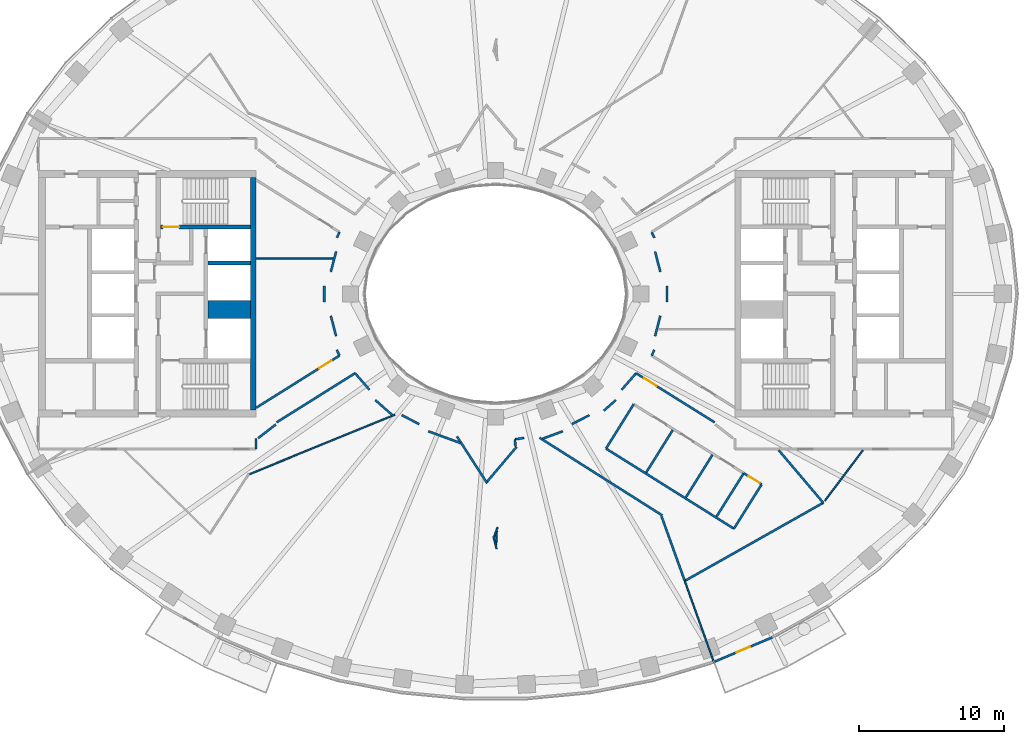
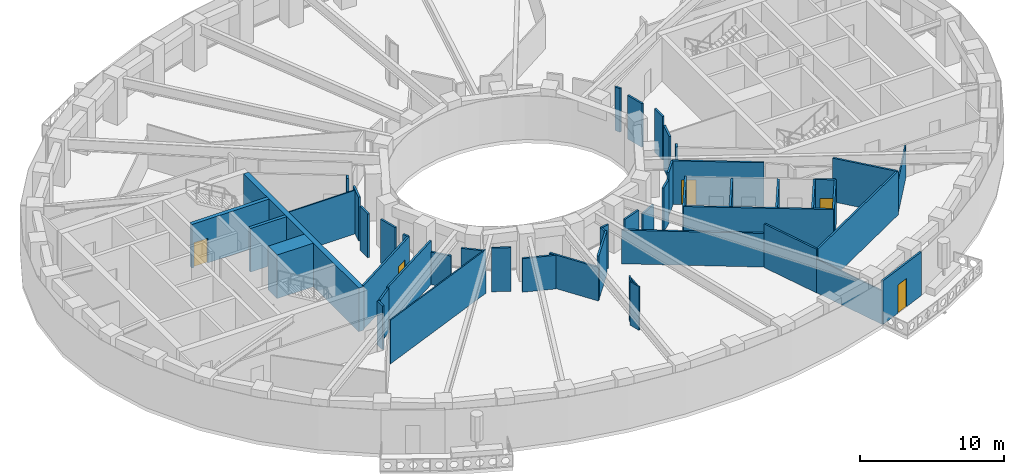
# One storey, part 4 of 15: 50 walls, 5 doors, 5 openings.
"""IFC4 building model written with IfcOpenShell, lengths in metres."""

from ifc_helpers import new_model, si_unit, direction, frame, frame_2d, origin, place, context, subcontext, project, spatial, rectangle, extrude, material, layer, layer_set, type_object, element, fill, save


model = new_model("IFC4")

# Units and contexts
model_context = context("Model", 3, precision=1e-05, world=origin(), true_north=direction((0.0, 1.0)))
body_context = subcontext(model_context, "Body", "Model", "MODEL_VIEW")
ifc_project = project(units=[si_unit("LENGTHUNIT", "METRE"), si_unit("AREAUNIT", "SQUARE_METRE"), si_unit("VOLUMEUNIT", "CUBIC_METRE"), si_unit("PLANEANGLEUNIT", "RADIAN"), si_unit("MASSUNIT", "GRAM", prefix="KILO")], contexts=[model_context])

# Site, building, storey
site_placement = place(None, origin())
site = spatial("IfcSite", under=ifc_project, at=site_placement, CompositionType="ELEMENT")
building_placement = place(site_placement, origin())
building = spatial("IfcBuilding", under=site, at=building_placement, Name="Noorbagh Ring Tower", CompositionType="ELEMENT")
storey_placement = place(building_placement, frame((0.0, 0.0, 158.0)))
storey = spatial("IfcBuildingStorey", under=building, at=storey_placement, Name="L36", CompositionType="ELEMENT", Elevation=158.0)

# Walls
ifc_material_1 = material(Name="Gypsum board on steel studs", Category="steel")
ifc_layer_1 = layer(ifc_material_1, 0.14990234375)
ifc_layer_set_1 = layer_set([ifc_layer_1], Name="Gypsum board on steel studs")
wall_type_1 = type_object("IfcWallType", Name="COMPARTMENT PARTITION 150 EI 60", PredefinedType="PARTITIONING", material=ifc_layer_set_1)
wall_1_placement = place(storey_placement, frame((15.22607421875, -15.341064453125, 0.0), z_axis=(0.0, 0.0, 1.0), x_axis=(0.530602850446, 0.847620560805, 0.0)))
element("IfcWall", 1, at=wall_1_placement, inside=storey, type_object=wall_type_1, Name="L36/wall/P77", PredefinedType="PARTITIONING", context=body_context, shape_type="SweptSolid", body=[
    extrude(rectangle(XDim=3.524169921875, YDim=0.14990234375, at=frame_2d((1.76220703125, 0.0))), origin(), (0.0, 0.0, 1.0), 3.699951171875),
])
wall_2_placement = place(storey_placement, frame((16.422119140625, -16.175048828125, 0.0), z_axis=(0.0, 0.0, 1.0), x_axis=(0.530578570881, 0.84763575911, 0.0)))
element("IfcWall", 2, at=wall_2_placement, inside=storey, type_object=wall_type_1, Name="L36/wall/P78", PredefinedType="PARTITIONING", context=body_context, shape_type="SweptSolid", body=[
    extrude(rectangle(XDim=3.595947265625, YDim=0.14990234375, at=frame_2d((1.7978515625, 0.0))), origin(), (0.0, 0.0, 1.0), 3.699951171875),
])

# Wall, opening, door
wall_3_placement = place(storey_placement, frame((17.095947265625, -12.35400390625, 0.0), z_axis=(0.0, 0.0, 1.0), x_axis=(0.847498728789, -0.530797423412, 0.0)))
wall_3 = element("IfcWall", 3, at=wall_3_placement, inside=storey, type_object=wall_type_1, Name="L36/wall/P83", PredefinedType="PARTITIONING", context=body_context, shape_type="SweptSolid", body=[
    extrude(rectangle(XDim=1.456298828125, YDim=0.14990234375, at=frame_2d((0.72802734375, 0.0))), origin(), (0.0, 0.0, 1.0), 3.699951171875),
])
opening_1_placement = place(wall_3_placement, frame((0.39990234375, 0.0, 0.0)))
opening_1 = element("IfcOpeningElement", 4, at=opening_1_placement, cuts=wall_3, Name="Opening D4", PredefinedType="OPENING", context=body_context, shape_type="SweptSolid", body=[
    extrude(rectangle(XDim=0.89990234375, YDim=2.10009765625, at=frame_2d((0.449951171875, 1.050048828125))), frame((0.0, 0.0849609375, 0.0), z_axis=(0.0, -1.0, 0.0), x_axis=(1.0, 0.0, 0.0)), (0.0, 0.0, 1.0), 0.169921875),
])
ifc_material_2 = material(Name="Timber, painted", Category="wood")
door_type_1 = type_object("IfcDoorType", Name="DOOR 900 X 2100 FD60", OperationType="SINGLE_SWING_LEFT", PredefinedType="DOOR", material=ifc_material_2)
door_1_placement = place(opening_1_placement, origin())
door_1 = element("IfcDoor", 5, at=door_1_placement, inside=storey, type_object=door_type_1, Name="L36-D05", OperationType="SINGLE_SWING_LEFT", OverallHeight=2.10009765625, OverallWidth=0.89990234375, PredefinedType="DOOR", context=body_context, shape_type="SweptSolid", body=[
    extrude(rectangle(XDim=0.89990234375, YDim=2.10009765625, at=frame_2d((0.449951171875, 1.050048828125))), frame((0.0, 0.02490234375, 0.0), z_axis=(0.0, -1.0, 0.0), x_axis=(1.0, 0.0, 0.0)), (0.0, 0.0, 1.0), 0.050048828125),
])
fill(opening_1, door_1)

# Walls
ifc_material_3 = material(Name="Concrete C60/75", Category="concrete")
ifc_layer_2 = layer(ifc_material_3, 1.25)
ifc_layer_set_2 = layer_set([ifc_layer_2], Name="Concrete C60/75")
wall_type_2 = type_object("IfcWallType", Name="CORE-WALL-1250-C60-75-EI120", PredefinedType="SHEAR", material=ifc_layer_set_2)
wall_4_placement = place(storey_placement, frame((-16.89990234375, -1.074951171875, 0.0), z_axis=(0.0, 0.0, 1.0), x_axis=(-1.0, 0.0, 0.0)))
element("IfcWall", 6, at=wall_4_placement, inside=storey, type_object=wall_type_2, Name="Core wall W", PredefinedType="SHEAR", context=body_context, shape_type="SweptSolid", body=[
    extrude(rectangle(XDim=2.900146484375, YDim=1.25, at=frame_2d((1.4501953125, 0.0))), origin(), (0.0, 0.0, 1.0), 3.699951171875),
])
ifc_material_4 = material(Name="Concrete C60/75", Category="concrete")
ifc_layer_3 = layer(ifc_material_4, 0.25)
ifc_layer_set_3 = layer_set([ifc_layer_3], Name="Concrete C60/75")
wall_type_3 = type_object("IfcWallType", Name="CORE-WALL-250-C60-75-EI120", PredefinedType="SHEAR", material=ifc_layer_set_3)
wall_5_placement = place(storey_placement, frame((-16.89990234375, 2.125, 0.0), z_axis=(0.0, 0.0, 1.0), x_axis=(-1.0, 0.0, 0.0)))
element("IfcWall", 7, at=wall_5_placement, inside=storey, type_object=wall_type_3, Name="Core wall W", PredefinedType="SHEAR", context=body_context, shape_type="SweptSolid", body=[
    extrude(rectangle(XDim=2.900146484375, YDim=0.25, at=frame_2d((1.4501953125, 0.0))), origin(), (0.0, 0.0, 1.0), 3.699951171875),
])

# Wall, opening, door
ifc_material_5 = material(Name="Concrete C60/75", Category="concrete")
ifc_layer_4 = layer(ifc_material_5, 0.300048828125)
ifc_layer_set_4 = layer_set([ifc_layer_4], Name="Concrete C60/75")
wall_type_4 = type_object("IfcWallType", Name="CORE-WALL-300-C60-75-EI240", PredefinedType="SHEAR", material=ifc_layer_set_4)
wall_6_placement = place(storey_placement, frame((-16.89990234375, 4.60009765625, 0.0), z_axis=(0.0, 0.0, 1.0), x_axis=(-1.0, 0.0, 0.0)))
wall_6 = element("IfcWall", 8, at=wall_6_placement, inside=storey, type_object=wall_type_4, Name="Core wall W", PredefinedType="SHEAR", context=body_context, shape_type="SweptSolid", body=[
    extrude(rectangle(XDim=6.18017578125, YDim=0.300048828125, at=frame_2d((3.090087890625, 0.0))), origin(), (0.0, 0.0, 1.0), 3.699951171875),
])
opening_2_placement = place(wall_6_placement, frame((4.89990234375, 0.0, 0.0)))
opening_2 = element("IfcOpeningElement", 9, at=opening_2_placement, cuts=wall_6, Name="Opening L36-CW06", PredefinedType="OPENING", context=body_context, shape_type="SweptSolid", body=[
    extrude(rectangle(XDim=1.10009765625, YDim=2.10009765625, at=frame_2d((0.550048828125, 1.050048828125))), frame((0.0, 0.16015625, 0.0), z_axis=(0.0, -1.0, 0.0), x_axis=(1.0, 0.0, 0.0)), (0.0, 0.0, 1.0), 0.320068359375),
])
ifc_material_6 = material(Name="Steel door leaf", Category="steel")
door_type_2 = type_object("IfcDoorType", Name="CORE-DOOR-DSTAIR", OperationType="SINGLE_SWING_LEFT", PredefinedType="DOOR", material=ifc_material_6)
door_2_placement = place(opening_2_placement, origin())
door_2 = element("IfcDoor", 10, at=door_2_placement, inside=storey, type_object=door_type_2, Name="Stair door ST1 L36-CW06", OperationType="SINGLE_SWING_RIGHT", OverallHeight=2.10009765625, OverallWidth=1.10009765625, PredefinedType="DOOR", context=body_context, shape_type="SweptSolid", body=[
    extrude(rectangle(XDim=1.10009765625, YDim=2.10009765625, at=frame_2d((0.550048828125, 1.050048828125))), frame((0.0, 0.02490234375, 0.0), z_axis=(0.0, -1.0, 0.0), x_axis=(1.0, 0.0, 0.0)), (0.0, 0.0, 1.0), 0.050048828125),
])
fill(opening_2, door_2)

# Walls
ifc_material_7 = material(Name="Concrete C60/75", Category="concrete")
ifc_layer_5 = layer(ifc_material_7, 0.39990234375)
ifc_layer_set_5 = layer_set([ifc_layer_5], Name="Concrete C60/75")
wall_type_5 = type_object("IfcWallType", Name="CORE-WALL-400-C60-75-EI240", PredefinedType="SHEAR", material=ifc_layer_set_5)
wall_7_placement = place(storey_placement, frame((-16.699951171875, -8.0, 0.0), z_axis=(0.0, 0.0, 1.0), x_axis=(0.0, 1.0, 0.0)))
element("IfcWall", 11, at=wall_7_placement, inside=storey, type_object=wall_type_5, Name="Core wall W", PredefinedType="SHEAR", context=body_context, shape_type="SweptSolid", body=[
    extrude(rectangle(XDim=16.0, YDim=0.39990234375, at=frame_2d((8.0, 0.0))), origin(), (0.0, 0.0, 1.0), 3.699951171875),
])
ifc_material_8 = material(Name="Gypsum board on steel studs", Category="steel")
ifc_layer_6 = layer(ifc_material_8, 0.14990234375)
ifc_layer_set_6 = layer_set([ifc_layer_6], Name="Gypsum board on steel studs")
wall_type_6 = type_object("IfcWallType", Name="CORRIDOR PARTITION 150 EI 30", PredefinedType="PARTITIONING", material=ifc_layer_set_6)
wall_8_placement = place(storey_placement, frame((-16.5, -10.699951171875, 0.0), z_axis=(0.0, 0.0, 1.0), x_axis=(0.0, 1.0, 0.0)))
element("IfcWall", 12, at=wall_8_placement, inside=storey, type_object=wall_type_6, Name="L36/wall/P14", PredefinedType="PARTITIONING", context=body_context, shape_type="SweptSolid", body=[
    extrude(rectangle(XDim=0.73583984375, YDim=0.14990234375, at=frame_2d((0.367919921875, 0.0))), origin(), (0.0, 0.0, 1.0), 3.699951171875),
])

# Wall, opening, door
wall_9_placement = place(storey_placement, frame((-16.5, -7.85107421875, 0.0), z_axis=(0.0, 0.0, 1.0), x_axis=(0.847690706888, 0.530490777917, 0.0)))
wall_9 = element("IfcWall", 13, at=wall_9_placement, inside=storey, type_object=wall_type_6, Name="L36/wall/P17", PredefinedType="PARTITIONING", context=body_context, shape_type="SweptSolid", body=[
    extrude(rectangle(XDim=6.78076171875, YDim=0.14990234375, at=frame_2d((3.390380859375, 0.0))), origin(), (0.0, 0.0, 1.0), 3.699951171875),
])
opening_3_placement = place(wall_9_placement, frame((5.130615234375, 0.0, 0.0)))
opening_3 = element("IfcOpeningElement", 14, at=opening_3_placement, cuts=wall_9, Name="Opening D1", PredefinedType="OPENING", context=body_context, shape_type="SweptSolid", body=[
    extrude(rectangle(XDim=1.0, YDim=2.10009765625, at=frame_2d((0.5, 1.050048828125))), frame((0.0, 0.0849609375, 0.0), z_axis=(0.0, -1.0, 0.0), x_axis=(1.0, 0.0, 0.0)), (0.0, 0.0, 1.0), 0.169921875),
])
ifc_material_9 = material(Name="Timber, painted", Category="wood")
door_type_3 = type_object("IfcDoorType", Name="DOOR 1000 X 2100 FD30", OperationType="SINGLE_SWING_LEFT", PredefinedType="DOOR", material=ifc_material_9)
door_3_placement = place(opening_3_placement, origin())
door_3 = element("IfcDoor", 15, at=door_3_placement, inside=storey, type_object=door_type_3, Name="L36-D17", OperationType="SINGLE_SWING_LEFT", OverallHeight=2.10009765625, OverallWidth=1.0, PredefinedType="DOOR", context=body_context, shape_type="SweptSolid", body=[
    extrude(rectangle(XDim=1.0, YDim=2.10009765625, at=frame_2d((0.5, 1.050048828125))), frame((0.0, 0.02490234375, 0.0), z_axis=(0.0, -1.0, 0.0), x_axis=(1.0, 0.0, 0.0)), (0.0, 0.0, 1.0), 0.050048828125),
])
fill(opening_3, door_3)

# Walls
wall_10_placement = place(storey_placement, frame((-15.089111328125, -8.85595703125, 0.0), z_axis=(0.0, 0.0, 1.0), x_axis=(0.847602682855, 0.530631408811, 0.0)))
element("IfcWall", 16, at=wall_10_placement, inside=storey, type_object=wall_type_6, Name="L36/wall/P19", PredefinedType="PARTITIONING", context=body_context, shape_type="SweptSolid", body=[
    extrude(rectangle(XDim=6.3828125, YDim=0.14990234375, at=frame_2d((3.19140625, 0.0))), origin(), (0.0, 0.0, 1.0), 3.699951171875),
])
wall_11_placement = place(storey_placement, frame((-11.80810546875, -0.550048828125, 0.0), z_axis=(0.0, 0.0, 1.0), x_axis=(0.0, 1.0, 0.0)))
element("IfcWall", 17, at=wall_11_placement, inside=storey, type_object=wall_type_6, Name="L36/wall/P21", PredefinedType="PARTITIONING", context=body_context, shape_type="SweptSolid", body=[
    extrude(rectangle(XDim=1.10009765625, YDim=0.14990234375, at=frame_2d((0.550048828125, 0.0))), origin(), (0.0, 0.0, 1.0), 3.699951171875),
])
wall_12_placement = place(storey_placement, frame((-11.35107421875, 1.51611328125, 0.0), z_axis=(0.0, 0.0, 1.0), x_axis=(0.252153395539, 0.967687276509, 0.0)))
element("IfcWall", 18, at=wall_12_placement, inside=storey, type_object=wall_type_6, Name="L36/wall/P22", PredefinedType="PARTITIONING", context=body_context, shape_type="SweptSolid", body=[
    extrude(rectangle(XDim=1.443603515625, YDim=0.14990234375, at=frame_2d((0.7216796875, 0.0))), origin(), (0.0, 0.0, 1.0), 3.699951171875),
])
wall_13_placement = place(storey_placement, frame((-11.34912109375, -1.51806640625, 0.0), z_axis=(0.0, 0.0, 1.0), x_axis=(0.251214938505, -0.967931327457, 0.0)))
element("IfcWall", 19, at=wall_13_placement, inside=storey, type_object=wall_type_6, Name="L36/wall/P23", PredefinedType="PARTITIONING", context=body_context, shape_type="SweptSolid", body=[
    extrude(rectangle(XDim=1.441162109375, YDim=0.14990234375, at=frame_2d((0.720703125, 0.0))), origin(), (0.0, 0.0, 1.0), 3.699951171875),
])
for number, where, z_axis, x_axis, name in (
    (20, (-10.93798828125, -3.863037109375, 0.0), (0.0, 0.0, 1.0), (0.429758433873, -0.90294390109, 0.0), "L36/wall/P24"),
    (21, (-10.93798828125, 3.863037109375, 0.0), (0.0, 0.0, 1.0), (0.429758433873, 0.90294390109, 0.0), "L36/wall/P25"),
):
    element("IfcWall", number, at=place(storey_placement, frame(where, z_axis=z_axis, x_axis=x_axis)), inside=storey, type_object=wall_type_6, Name=name, PredefinedType="PARTITIONING", context=body_context, shape_type="SweptSolid", body=[
        extrude(rectangle(XDim=0.432861328125, YDim=0.14990234375, at=frame_2d((0.21630859375, 0.0))), origin(), (0.0, 0.0, 1.0), 3.699951171875),
    ])
wall_14_placement = place(storey_placement, frame((-9.678955078125, -5.468994140625, 0.0), z_axis=(0.0, 0.0, 1.0), x_axis=(0.656454677423, -0.75436546613, 0.0)))
element("IfcWall", 22, at=wall_14_placement, inside=storey, type_object=wall_type_6, Name="L36/wall/P26", PredefinedType="PARTITIONING", context=body_context, shape_type="SweptSolid", body=[
    extrude(rectangle(XDim=1.510986328125, YDim=0.14990234375, at=frame_2d((0.75537109375, 0.0))), origin(), (0.0, 0.0, 1.0), 2.75),
])
wall_15_placement = place(storey_placement, frame((-8.283935546875, -7.322021484375, 0.0), z_axis=(0.0, 0.0, 1.0), x_axis=(0.750666784408, -0.660680996235, 0.0)))
element("IfcWall", 23, at=wall_15_placement, inside=storey, type_object=wall_type_6, Name="L36/wall/P28", PredefinedType="PARTITIONING", context=body_context, shape_type="SweptSolid", body=[
    extrude(rectangle(XDim=1.5546875, YDim=0.14990234375, at=frame_2d((0.77734375, 0.0))), origin(), (0.0, 0.0, 1.0), 3.699951171875),
])
wall_16_placement = place(storey_placement, frame((-6.466064453125, -8.35595703125, 0.0), z_axis=(0.0, 0.0, 1.0), x_axis=(0.889472002788, -0.456989667559, 0.0)))
element("IfcWall", 24, at=wall_16_placement, inside=storey, type_object=wall_type_6, Name="L36/wall/P30", PredefinedType="PARTITIONING", context=body_context, shape_type="SweptSolid", body=[
    extrude(rectangle(XDim=1.354736328125, YDim=0.14990234375, at=frame_2d((0.67724609375, 0.0))), origin(), (0.0, 0.0, 1.0), 3.699951171875),
])
wall_17_placement = place(storey_placement, frame((-4.635986328125, -9.468017578125, 0.0), z_axis=(0.0, 0.0, 1.0), x_axis=(0.939059239116, -0.343755356949, 0.0)))
element("IfcWall", 25, at=wall_17_placement, inside=storey, type_object=wall_type_6, Name="L36/wall/P32", PredefinedType="PARTITIONING", context=body_context, shape_type="SweptSolid", body=[
    extrude(rectangle(XDim=2.3564453125, YDim=0.14990234375, at=frame_2d((1.17822265625, 0.0))), origin(), (0.0, 0.0, 1.0), 2.85009765625),
])
wall_18_placement = place(storey_placement, frame((-2.659912109375, -9.826904296875, 0.0), z_axis=(0.0, 0.0, 1.0), x_axis=(0.54249361556, -0.840059924694, 0.0)))
element("IfcWall", 26, at=wall_18_placement, inside=storey, type_object=wall_type_6, Name="L36/wall/P34", PredefinedType="PARTITIONING", context=body_context, shape_type="SweptSolid", body=[
    extrude(rectangle(XDim=3.835693359375, YDim=0.14990234375, at=frame_2d((1.91796875, 0.0))), origin(), (0.0, 0.0, 1.0), 2.85009765625),
])
wall_19_placement = place(storey_placement, frame((-0.571044921875, -12.923095703125, 0.0), z_axis=(0.0, 0.0, 1.0), x_axis=(0.646508532989, 0.762906754966, 0.0)))
element("IfcWall", 27, at=wall_19_placement, inside=storey, type_object=wall_type_6, Name="L36/wall/P36", PredefinedType="PARTITIONING", context=body_context, shape_type="SweptSolid", body=[
    extrude(rectangle(XDim=3.110595703125, YDim=0.14990234375, at=frame_2d((1.55517578125, 0.0))), origin(), (0.0, 0.0, 1.0), 3.699951171875),
])
wall_20_placement = place(storey_placement, frame((1.340087890625, -10.02197265625, 0.0), z_axis=(0.0, 0.0, 1.0), x_axis=(0.047890193459, -0.998852606429, 0.0)))
element("IfcWall", 28, at=wall_20_placement, inside=storey, type_object=wall_type_6, Name="L36/wall/P44", PredefinedType="PARTITIONING", context=body_context, shape_type="SweptSolid", body=[
    extrude(rectangle(XDim=0.49951171875, YDim=0.14990234375, at=frame_2d((0.249755859375, 0.0))), origin(), (0.0, 0.0, 1.0), 3.699951171875),
])
wall_21_placement = place(storey_placement, frame((1.340087890625, -10.02197265625, 0.0), z_axis=(0.0, 0.0, 1.0), x_axis=(0.988526694698, 0.151046264003, 0.0)))
element("IfcWall", 29, at=wall_21_placement, inside=storey, type_object=wall_type_6, Name="L36/wall/P45", PredefinedType="PARTITIONING", context=body_context, shape_type="SweptSolid", body=[
    extrude(rectangle(XDim=0.63525390625, YDim=0.14990234375, at=frame_2d((0.317626953125, 0.0))), origin(), (0.0, 0.0, 1.0), 3.699951171875),
])
wall_22_placement = place(storey_placement, frame((3.035888671875, -9.9150390625, 0.0), z_axis=(0.0, 0.0, 1.0), x_axis=(0.844814664865, -0.535059045367, 0.0)))
element("IfcWall", 30, at=wall_22_placement, inside=storey, type_object=wall_type_6, Name="L36/wall/P48", PredefinedType="PARTITIONING", context=body_context, shape_type="SweptSolid", body=[
    extrude(rectangle(XDim=10.00830078125, YDim=0.14990234375, at=frame_2d((5.004150390625, 0.0))), origin(), (0.0, 0.0, 1.0), 2.85009765625),
])
wall_23_placement = place(storey_placement, frame((3.2451171875, -9.97705078125, 0.0), z_axis=(0.0, 0.0, 1.0), x_axis=(0.939083928338, 0.343687904263, 0.0)))
element("IfcWall", 31, at=wall_23_placement, inside=storey, type_object=wall_type_6, Name="L36/wall/P50", PredefinedType="PARTITIONING", context=body_context, shape_type="SweptSolid", body=[
    extrude(rectangle(XDim=1.481201171875, YDim=0.14990234375, at=frame_2d((0.74072265625, 0.0))), origin(), (0.0, 0.0, 1.0), 3.699951171875),
])
wall_24_placement = place(storey_placement, frame((5.260986328125, -8.97509765625, 0.0), z_axis=(0.0, 0.0, 1.0), x_axis=(0.889472002788, 0.456989667559, 0.0)))
element("IfcWall", 32, at=wall_24_placement, inside=storey, type_object=wall_type_6, Name="L36/wall/P52", PredefinedType="PARTITIONING", context=body_context, shape_type="SweptSolid", body=[
    extrude(rectangle(XDim=1.354736328125, YDim=0.14990234375, at=frame_2d((0.67724609375, 0.0))), origin(), (0.0, 0.0, 1.0), 2.85009765625),
])
wall_25_placement = place(storey_placement, frame((7.4580078125, -8.049072265625, 0.0), z_axis=(0.0, 0.0, 1.0), x_axis=(0.75060787095, 0.660747927782, 0.0)))
element("IfcWall", 33, at=wall_25_placement, inside=storey, type_object=wall_type_6, Name="L36/wall/P54", PredefinedType="PARTITIONING", context=body_context, shape_type="SweptSolid", body=[
    extrude(rectangle(XDim=1.100341796875, YDim=0.14990234375, at=frame_2d((0.55029296875, 0.0))), origin(), (0.0, 0.0, 1.0), 3.699951171875),
])
wall_26_placement = place(storey_placement, frame((7.60498046875, -10.658935546875, 0.0), z_axis=(0.0, 0.0, 1.0), x_axis=(0.530602380468, 0.847620855006, 0.0)))
element("IfcWall", 34, at=wall_26_placement, inside=storey, type_object=wall_type_6, Name="L36/wall/P56", PredefinedType="PARTITIONING", context=body_context, shape_type="SweptSolid", body=[
    extrude(rectangle(XDim=3.599609375, YDim=0.14990234375, at=frame_2d((1.7998046875, 0.0))), origin(), (0.0, 0.0, 1.0), 3.699951171875),
])
wall_27_placement = place(storey_placement, frame((7.60791015625, -10.660888671875, 0.0), z_axis=(0.0, 0.0, 1.0), x_axis=(0.847562482532, -0.530695617284, 0.0)))
element("IfcWall", 35, at=wall_27_placement, inside=storey, type_object=wall_type_6, Name="L36/wall/P57", PredefinedType="PARTITIONING", context=body_context, shape_type="SweptSolid", body=[
    extrude(rectangle(XDim=10.392333984375, YDim=0.14990234375, at=frame_2d((5.1962890625, 0.0))), origin(), (0.0, 0.0, 1.0), 3.699951171875),
])
wall_28_placement = place(storey_placement, frame((8.68701171875, -6.60888671875, 0.0), z_axis=(0.0, 0.0, 1.0), x_axis=(0.656454677423, 0.75436546613, 0.0)))
element("IfcWall", 36, at=wall_28_placement, inside=storey, type_object=wall_type_6, Name="L36/wall/P58", PredefinedType="PARTITIONING", context=body_context, shape_type="SweptSolid", body=[
    extrude(rectangle(XDim=1.510986328125, YDim=0.14990234375, at=frame_2d((0.75537109375, 0.0))), origin(), (0.0, 0.0, 1.0), 3.699951171875),
])

# Wall, opening, door
wall_29_placement = place(storey_placement, frame((9.678955078125, -5.468994140625, 0.0), z_axis=(0.0, 0.0, 1.0), x_axis=(0.847602682855, -0.530631408811, 0.0)))
wall_29 = element("IfcWall", 37, at=wall_29_placement, inside=storey, type_object=wall_type_6, Name="L36/wall/P61", PredefinedType="PARTITIONING", context=body_context, shape_type="SweptSolid", body=[
    extrude(rectangle(XDim=6.3828125, YDim=0.14990234375, at=frame_2d((3.19140625, 0.0))), origin(), (0.0, 0.0, 1.0), 3.699951171875),
])
opening_4_placement = place(wall_29_placement, frame((0.64990234375, 0.0, 0.0)))
opening_4 = element("IfcOpeningElement", 38, at=opening_4_placement, cuts=wall_29, Name="Opening D1", PredefinedType="OPENING", context=body_context, shape_type="SweptSolid", body=[
    extrude(rectangle(XDim=1.0, YDim=2.10009765625, at=frame_2d((0.5, 1.050048828125))), frame((0.0, 0.0849609375, 0.0), z_axis=(0.0, -1.0, 0.0), x_axis=(1.0, 0.0, 0.0)), (0.0, 0.0, 1.0), 0.169921875),
])
door_4_placement = place(opening_4_placement, origin())
door_4 = element("IfcDoor", 39, at=door_4_placement, inside=storey, type_object=door_type_3, Name="L36-D01", OperationType="SINGLE_SWING_LEFT", OverallHeight=2.10009765625, OverallWidth=1.0, PredefinedType="DOOR", context=body_context, shape_type="SweptSolid", body=[
    extrude(rectangle(XDim=1.0, YDim=2.10009765625, at=frame_2d((0.5, 1.050048828125))), frame((0.0, 0.02490234375, 0.0), z_axis=(0.0, -1.0, 0.0), x_axis=(1.0, 0.0, 0.0)), (0.0, 0.0, 1.0), 0.050048828125),
])
fill(opening_4, door_4)

# Walls
wall_30_placement = place(storey_placement, frame((10.376953125, -12.305908203125, 0.0), z_axis=(0.0, 0.0, 1.0), x_axis=(0.530889428354, 0.847441098167, 0.0)))
element("IfcWall", 40, at=wall_30_placement, inside=storey, type_object=wall_type_6, Name="L36/wall/P63", PredefinedType="PARTITIONING", context=body_context, shape_type="SweptSolid", body=[
    extrude(rectangle(XDim=3.448974609375, YDim=0.14990234375, at=frame_2d((1.724609375, 0.0))), origin(), (0.0, 0.0, 1.0), 3.699951171875),
])
for number, where, z_axis, x_axis, name in (
    (41, (10.751953125, -4.25390625, 0.0), (0.0, 0.0, 1.0), (0.429758433873, 0.90294390109, 0.0), "L36/wall/P64"),
    (42, (10.751953125, 4.25390625, 0.0), (0.0, 0.0, 1.0), (0.429758433873, -0.90294390109, 0.0), "L36/wall/P66"),
):
    element("IfcWall", number, at=place(storey_placement, frame(where, z_axis=z_axis, x_axis=x_axis)), inside=storey, type_object=wall_type_6, Name=name, PredefinedType="PARTITIONING", context=body_context, shape_type="SweptSolid", body=[
        extrude(rectangle(XDim=0.432861328125, YDim=0.14990234375, at=frame_2d((0.21630859375, 0.0))), origin(), (0.0, 0.0, 1.0), 3.699951171875),
    ])
wall_31_placement = place(storey_placement, frame((10.987060546875, -2.9130859375, 0.0), z_axis=(0.0, 0.0, 1.0), x_axis=(0.252153395539, 0.967687276509, 0.0)))
element("IfcWall", 43, at=wall_31_placement, inside=storey, type_object=wall_type_6, Name="L36/wall/P68", PredefinedType="PARTITIONING", context=body_context, shape_type="SweptSolid", body=[
    extrude(rectangle(XDim=1.443603515625, YDim=0.14990234375, at=frame_2d((0.7216796875, 0.0))), origin(), (0.0, 0.0, 1.0), 3.699951171875),
])
wall_32_placement = place(storey_placement, frame((10.987060546875, 2.9130859375, 0.0), z_axis=(0.0, 0.0, 1.0), x_axis=(0.251214938505, -0.967931327457, 0.0)))
element("IfcWall", 44, at=wall_32_placement, inside=storey, type_object=wall_type_6, Name="L36/wall/P69", PredefinedType="PARTITIONING", context=body_context, shape_type="SweptSolid", body=[
    extrude(rectangle(XDim=1.441162109375, YDim=0.14990234375, at=frame_2d((0.720703125, 0.0))), origin(), (0.0, 0.0, 1.0), 3.699951171875),
])
wall_33_placement = place(storey_placement, frame((11.428955078125, -15.320068359375, 0.0), z_axis=(0.0, 0.0, 1.0), x_axis=(0.338520464006, -0.940959029634, 0.0)))
element("IfcWall", 45, at=wall_33_placement, inside=storey, type_object=wall_type_6, Name="L36/wall/P71", PredefinedType="PARTITIONING", context=body_context, shape_type="SweptSolid", body=[
    extrude(rectangle(XDim=4.7353515625, YDim=0.14990234375, at=frame_2d((2.36767578125, 0.0))), origin(), (0.0, 0.0, 1.0), 3.699951171875),
])
wall_34_placement = place(storey_placement, frame((11.80810546875, -0.550048828125, 0.0), z_axis=(0.0, 0.0, 1.0), x_axis=(0.0, 1.0, 0.0)))
element("IfcWall", 46, at=wall_34_placement, inside=storey, type_object=wall_type_6, Name="L36/wall/P73", PredefinedType="PARTITIONING", context=body_context, shape_type="SweptSolid", body=[
    extrude(rectangle(XDim=1.10009765625, YDim=0.14990234375, at=frame_2d((0.550048828125, 0.0))), origin(), (0.0, 0.0, 1.0), 3.699951171875),
])
wall_35_placement = place(storey_placement, frame((13.033935546875, -19.779052734375, 0.0), z_axis=(0.0, 0.0, 1.0), x_axis=(0.870903388322, 0.491454258512, 0.0)))
element("IfcWall", 47, at=wall_35_placement, inside=storey, type_object=wall_type_6, Name="L36/wall/P75", PredefinedType="PARTITIONING", context=body_context, shape_type="SweptSolid", body=[
    extrude(rectangle(XDim=10.955322265625, YDim=0.14990234375, at=frame_2d((5.4775390625, 0.0))), origin(), (0.0, 0.0, 1.0), 3.699951171875),
])
wall_36_placement = place(storey_placement, frame((13.110107421875, -14.01708984375, 0.0), z_axis=(0.0, 0.0, 1.0), x_axis=(0.530603340991, 0.847620253727, 0.0)))
element("IfcWall", 48, at=wall_36_placement, inside=storey, type_object=wall_type_6, Name="L36/wall/P76", PredefinedType="PARTITIONING", context=body_context, shape_type="SweptSolid", body=[
    extrude(rectangle(XDim=3.448486328125, YDim=0.14990234375, at=frame_2d((1.72412109375, 0.0))), origin(), (0.0, 0.0, 1.0), 3.699951171875),
])
wall_37_placement = place(storey_placement, frame((19.510986328125, -10.778076171875, 0.0), z_axis=(0.0, 0.0, 1.0), x_axis=(0.646369264436, -0.763024753197, 0.0)))
element("IfcWall", 49, at=wall_37_placement, inside=storey, type_object=wall_type_6, Name="L36/wall/P84", PredefinedType="PARTITIONING", context=body_context, shape_type="SweptSolid", body=[
    extrude(rectangle(XDim=4.740234375, YDim=0.14990234375, at=frame_2d((2.3701171875, 0.0))), origin(), (0.0, 0.0, 1.0), 3.699951171875),
])
wall_38_placement = place(storey_placement, frame((-15.138916015625, -8.9970703125, 0.0), z_axis=(0.0, 0.0, 1.0), x_axis=(-0.788950226826, -0.614457109643, 0.0)))
element("IfcWall", 50, at=wall_38_placement, inside=storey, type_object=wall_type_6, Name="L36/wall/P91", PredefinedType="PARTITIONING", context=body_context, shape_type="SweptSolid", body=[
    extrude(rectangle(XDim=1.53759765625, YDim=0.14990234375, at=frame_2d((0.768798828125, 0.0))), origin(), (0.0, 0.0, 1.0), 3.699951171875),
])

# Wall, opening, door
ifc_material_10 = material(Name="Insulated aluminium clad panel", Category="aluminium")
ifc_layer_7 = layer(ifc_material_10, 0.14990234375)
ifc_layer_set_7 = layer_set([ifc_layer_7], Name="Insulated aluminium clad panel")
wall_type_7 = type_object("IfcWallType", Name="ENV-WALL-DOOR", PredefinedType="STANDARD", material=ifc_layer_set_7)
wall_39_placement = place(storey_placement, frame((15.017822265625, -25.368896484375, 0.0), z_axis=(0.0, 0.0, 1.0), x_axis=(0.921816985161, 0.387625393736, 0.0)))
wall_39 = element("IfcWall", 51, at=wall_39_placement, inside=storey, type_object=wall_type_7, Name="Balcony door wall chord 39", PredefinedType="STANDARD", context=body_context, shape_type="SweptSolid", body=[
    extrude(rectangle(XDim=4.42578125, YDim=0.14990234375, at=frame_2d((2.212890625, 0.0))), origin(), (0.0, 0.0, 1.0), 3.699951171875),
])
opening_5_placement = place(wall_39_placement, frame((1.712890625, 0.0, 0.0)))
opening_5 = element("IfcOpeningElement", 52, at=opening_5_placement, cuts=wall_39, Name="Opening D-BL", PredefinedType="OPENING", context=body_context, shape_type="SweptSolid", body=[
    extrude(rectangle(XDim=1.0, YDim=2.39990234375, at=frame_2d((0.5, 1.199951171875))), frame((0.0, 0.0849609375, 0.0), z_axis=(0.0, -1.0, 0.0), x_axis=(1.0, 0.0, 0.0)), (0.0, 0.0, 1.0), 0.169921875),
])
ifc_material_11 = material(Name="Aluminium and glass", Category="aluminium")
door_type_4 = type_object("IfcDoorType", Name="ENV-DOOR-BALCONY", OperationType="SINGLE_SWING_LEFT", PredefinedType="DOOR", material=ifc_material_11)
door_5_placement = place(opening_5_placement, origin())
door_5 = element("IfcDoor", 53, at=door_5_placement, inside=storey, type_object=door_type_4, Name="Balcony door chord 39", OperationType="SINGLE_SWING_LEFT", OverallHeight=2.39990234375, OverallWidth=1.0, PredefinedType="DOOR", context=body_context, shape_type="SweptSolid", body=[
    extrude(rectangle(XDim=1.0, YDim=2.39990234375, at=frame_2d((0.5, 1.199951171875))), frame((0.0, 0.02490234375, 0.0), z_axis=(0.0, -1.0, 0.0), x_axis=(1.0, 0.0, 0.0)), (0.0, 0.0, 1.0), 0.050048828125),
])
fill(opening_5, door_5)

# Walls
ifc_material_12 = material(Name="Gypsum board on steel studs", Category="steel")
ifc_layer_8 = layer(ifc_material_12, 0.10009765625)
ifc_layer_set_8 = layer_set([ifc_layer_8], Name="Gypsum board on steel studs")
wall_type_8 = type_object("IfcWallType", Name="PARTITION 100 GYPSUM", PredefinedType="PARTITIONING", material=ifc_layer_set_8)
wall_40_placement = place(storey_placement, frame((-16.962890625, -12.427001953125, 0.0), z_axis=(0.0, 0.0, 1.0), x_axis=(0.925484473487, 0.378785545308, 0.0)))
element("IfcWall", 54, at=wall_40_placement, inside=storey, type_object=wall_type_8, Name="L36/wall/P12", PredefinedType="PARTITIONING", context=body_context, shape_type="SweptSolid", body=[
    extrude(rectangle(XDim=10.83203125, YDim=0.10009765625, at=frame_2d((5.416015625, 0.0))), origin(), (0.0, 0.0, 1.0), 3.699951171875),
])
wall_41_placement = place(storey_placement, frame((-16.5, 2.43994140625, 0.0), z_axis=(0.0, 0.0, 1.0), x_axis=(1.0, 0.0, 0.0)))
element("IfcWall", 55, at=wall_41_placement, inside=storey, type_object=wall_type_8, Name="L36/wall/P15", PredefinedType="PARTITIONING", context=body_context, shape_type="SweptSolid", body=[
    extrude(rectangle(XDim=5.306884765625, YDim=0.10009765625, at=frame_2d((2.6533203125, 0.0))), origin(), (0.0, 0.0, 1.0), 3.699951171875),
])
wall_42_placement = place(storey_placement, frame((-0.14306640625, -16.715087890625, 0.0), z_axis=(0.0, 0.0, 1.0), x_axis=(0.239035325833, -0.971010871723, 0.0)))
element("IfcWall", 56, at=wall_42_placement, inside=storey, type_object=wall_type_8, Name="L36/wall/P38", PredefinedType="PARTITIONING", context=body_context, shape_type="SweptSolid", body=[
    extrude(rectangle(XDim=0.8701171875, YDim=0.10009765625, at=frame_2d((0.43505859375, 0.0))), origin(), (0.0, 0.0, 1.0), 3.699951171875),
])
wall_43_placement = place(storey_placement, frame((-0.090087890625, -16.717041015625, 0.0), z_axis=(0.0, 0.0, 1.0), x_axis=(0.337600885579, 0.941289350867, 0.0)))
element("IfcWall", 57, at=wall_43_placement, inside=storey, type_object=wall_type_8, Name="L36/wall/P39", PredefinedType="PARTITIONING", context=body_context, shape_type="SweptSolid", body=[
    extrude(rectangle(XDim=0.672607421875, YDim=0.10009765625, at=frame_2d((0.33642578125, 0.0))), origin(), (0.0, 0.0, 1.0), 3.699951171875),
])
wall_44_placement = place(storey_placement, frame((0.0400390625, -17.278076171875, 0.0), z_axis=(0.0, 0.0, 1.0), x_axis=(0.047868385867, 0.99885365176, 0.0)))
element("IfcWall", 58, at=wall_44_placement, inside=storey, type_object=wall_type_8, Name="L36/wall/P42", PredefinedType="PARTITIONING", context=body_context, shape_type="SweptSolid", body=[
    extrude(rectangle(XDim=0.91796875, YDim=0.10009765625, at=frame_2d((0.458984375, 0.0))), origin(), (0.0, 0.0, 1.0), 3.699951171875),
])
wall_45_placement = place(storey_placement, frame((13.031982421875, -19.77587890625, 0.0), z_axis=(0.0, 0.0, 1.0), x_axis=(0.338352371411, -0.941019485856, 0.0)))
element("IfcWall", 59, at=wall_45_placement, inside=storey, type_object=wall_type_8, Name="L36/wall/P74", PredefinedType="PARTITIONING", context=body_context, shape_type="SweptSolid", body=[
    extrude(rectangle(XDim=5.958740234375, YDim=0.10009765625, at=frame_2d((2.9794921875, 0.0))), origin(), (0.0, 0.0, 1.0), 2.85009765625),
])
wall_46_placement = place(storey_placement, frame((22.68798828125, -14.2451171875, 0.0), z_axis=(0.0, 0.0, 1.0), x_axis=(0.6020222506, 0.798479310804, 0.0)))
element("IfcWall", 60, at=wall_46_placement, inside=storey, type_object=wall_type_8, Name="L36/wall/P86", PredefinedType="PARTITIONING", context=body_context, shape_type="SweptSolid", body=[
    extrude(rectangle(XDim=4.342041015625, YDim=0.10009765625, at=frame_2d((2.1708984375, 0.0))), origin(), (0.0, 0.0, 1.0), 2.75),
])

save(model, "model.ifc")
